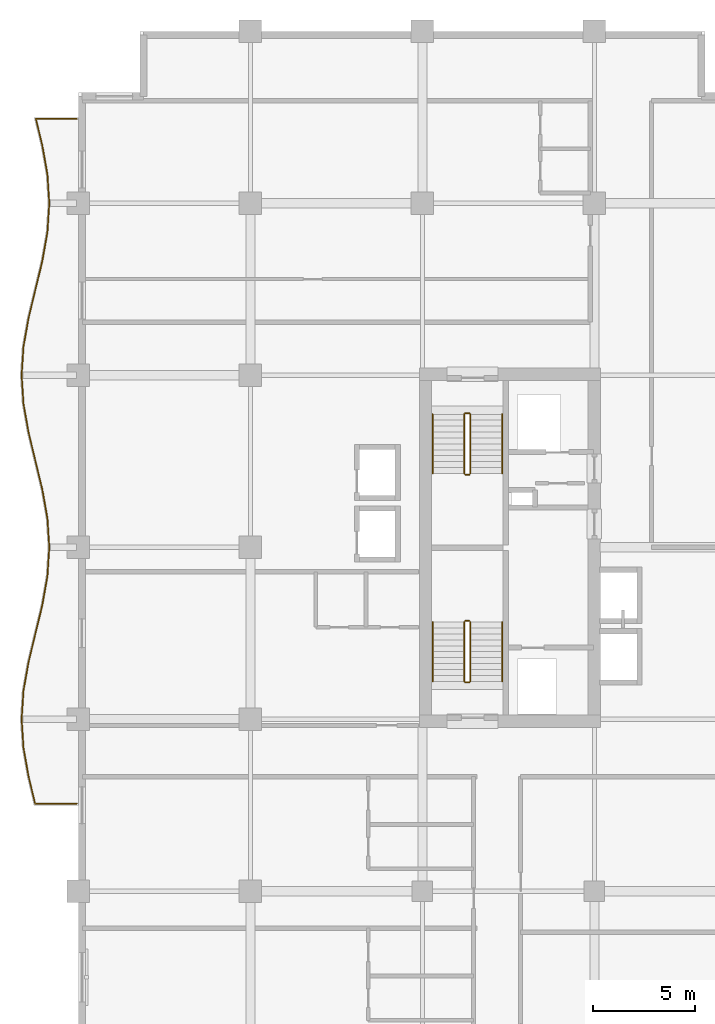
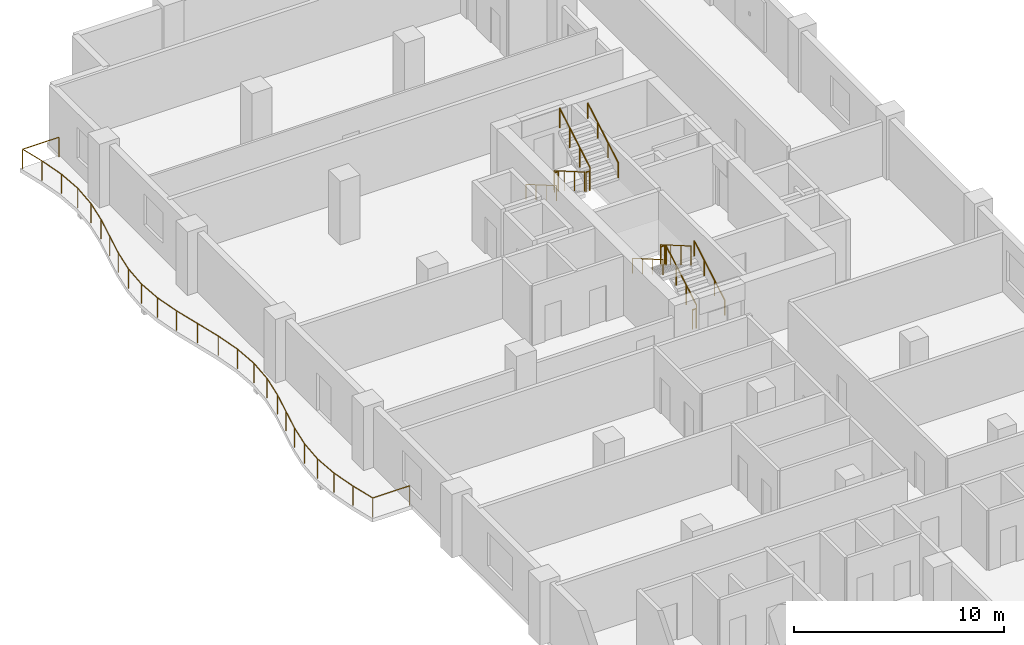
# One storey, part 20 of 21: 13 railings.
"""IFC4 building model written with IfcOpenShell, lengths in metres."""

from ifc_helpers import new_model, si_unit, direction, frame, origin, origin_2d, place, context, subcontext, project, spatial, circle, extrude, material, type_object, element, save


model = new_model("IFC4")

# Units and contexts
model_context = context("Model", 3, precision=1e-05, world=origin(), true_north=direction((0.0, 1.0)))
body_context = subcontext(model_context, "Body", "Model", "MODEL_VIEW")
ifc_project = project(units=[si_unit("LENGTHUNIT", "METRE"), si_unit("AREAUNIT", "SQUARE_METRE"), si_unit("VOLUMEUNIT", "CUBIC_METRE"), si_unit("PLANEANGLEUNIT", "RADIAN"), si_unit("MASSUNIT", "GRAM", prefix="KILO")], contexts=[model_context])

# Site, building, storey
site_placement = place(None, origin())
site = spatial("IfcSite", under=ifc_project, at=site_placement, CompositionType="ELEMENT")
building_placement = place(site_placement, origin())
building = spatial("IfcBuilding", under=site, at=building_placement, Name="Koriwani Terraces Tower", CompositionType="ELEMENT")
storey_placement = place(building_placement, frame((0.0, 0.0, 197.60009765625)))
storey = spatial("IfcBuildingStorey", under=building, at=storey_placement, Name="L48", CompositionType="ELEMENT", Elevation=197.60009765625)

# Railings
ifc_material = material(Name="Steel ASTM A572 Grade 50", Category="steel")
railing_type_1 = type_object("IfcRailingType", Name="GUARD_BALUSTRADE_1150", PredefinedType="BALUSTRADE", material=ifc_material)
railing_1_placement = place(storey_placement, frame((-0.080078125, 37.8798828125, 0.0)))
element("IfcRailing", 1, at=railing_1_placement, inside=storey, type_object=railing_type_1, Name="L48 Balcony Perimeter Safety Balustrade (W)", PredefinedType="BALUSTRADE", context=body_context, shape_type="SweptSolid", body=[
    extrude(circle(Radius=0.02392578125, at=origin_2d()), frame((0.0, 0.0, 1.1259765625), z_axis=(-1.0, 0.0, 0.0), x_axis=(0.0, -1.0, 0.0)), (0.0, 0.0, 1.0), 2.031982421875),
    extrude(circle(Radius=0.02392578125, at=origin_2d()), frame((-2.031982421875, 0.0, 1.1259765625), z_axis=(-0.234252790362, 0.97217571982, 0.0), x_axis=(-0.97217571982, -0.234252790362, 0.0)), (0.0, 0.0, 1.0), 1.374755859375),
    extrude(circle(Radius=0.02392578125, at=origin_2d()), frame((-2.35400390625, 1.33642578125, 1.1259765625), z_axis=(-0.173932985997, 0.984757491153, 0.0), x_axis=(-0.984757491153, -0.173932985997, 0.0)), (0.0, 0.0, 1.0), 1.414794921875),
    extrude(circle(Radius=0.02392578125, at=origin_2d()), frame((-2.60009765625, 2.729736328125, 1.1259765625), z_axis=(-0.064309099225, 0.997930027485, 0.0), x_axis=(-0.997930027485, -0.064309099225, 0.0)), (0.0, 0.0, 1.0), 1.393310546875),
    extrude(circle(Radius=0.02392578125, at=origin_2d()), frame((-2.689697265625, 4.1201171875, 1.1259765625), z_axis=(0.064309099225, 0.997930027485, 0.0), x_axis=(-0.997930027485, 0.064309099225, 0.0)), (0.0, 0.0, 1.0), 1.393310546875),
    extrude(circle(Radius=0.02392578125, at=origin_2d()), frame((-2.60009765625, 5.510498046875, 1.1259765625), z_axis=(0.173932985997, 0.984757491153, 0.0), x_axis=(-0.984757491153, 0.173932985997, 0.0)), (0.0, 0.0, 1.0), 1.414794921875),
    extrude(circle(Radius=0.02392578125, at=origin_2d()), frame((-2.35400390625, 6.90380859375, 1.1259765625), z_axis=(0.234289744186, 0.972166814785, 0.0), x_axis=(-0.972166814785, 0.234289744186, 0.0)), (0.0, 0.0, 1.0), 2.880126953125),
    extrude(circle(Radius=0.02392578125, at=origin_2d()), frame((-1.67919921875, 9.703857421875, 1.1259765625), z_axis=(0.173814583381, 0.984778396698, 0.0), x_axis=(-0.984778396698, 0.173814583381, 0.0)), (0.0, 0.0, 1.0), 1.428466796875),
    extrude(circle(Radius=0.02392578125, at=origin_2d()), frame((-1.430908203125, 11.110595703125, 1.1259765625), z_axis=(0.064304534842, 0.997930321615, 0.0), x_axis=(-0.997930321615, 0.064304534842, 0.0)), (0.0, 0.0, 1.0), 1.412353515625),
    extrude(circle(Radius=0.02392578125, at=origin_2d()), frame((-1.340087890625, 12.52001953125, 1.1259765625), z_axis=(-0.064293443969, 0.997931036226, 0.0), x_axis=(-0.997931036226, -0.064293443969, 0.0)), (0.0, 0.0, 1.0), 1.41259765625),
    extrude(circle(Radius=0.02392578125, at=origin_2d()), frame((-1.430908203125, 13.9296875, 1.1259765625), z_axis=(-0.173814583381, 0.984778396698, 0.0), x_axis=(-0.984778396698, -0.173814583381, 0.0)), (0.0, 0.0, 1.0), 1.428466796875),
    extrude(circle(Radius=0.02392578125, at=origin_2d()), frame((-1.67919921875, 15.33642578125, 1.1259765625), z_axis=(-0.234289744186, 0.972166814785, 0.0), x_axis=(-0.972166814785, -0.234289744186, 0.0)), (0.0, 0.0, 1.0), 2.880126953125),
    extrude(circle(Radius=0.02392578125, at=origin_2d()), frame((-2.35400390625, 18.136474609375, 1.1259765625), z_axis=(-0.173932985997, 0.984757491153, 0.0), x_axis=(-0.984757491153, -0.173932985997, 0.0)), (0.0, 0.0, 1.0), 1.414794921875),
    extrude(circle(Radius=0.02392578125, at=origin_2d()), frame((-2.60009765625, 19.52978515625, 1.1259765625), z_axis=(-0.064309099225, 0.997930027485, 0.0), x_axis=(-0.997930027485, -0.064309099225, 0.0)), (0.0, 0.0, 1.0), 1.393310546875),
    extrude(circle(Radius=0.02392578125, at=origin_2d()), frame((-2.689697265625, 20.920166015625, 1.1259765625), z_axis=(0.064309099225, 0.997930027485, 0.0), x_axis=(-0.997930027485, 0.064309099225, 0.0)), (0.0, 0.0, 1.0), 1.393310546875),
    extrude(circle(Radius=0.02392578125, at=origin_2d()), frame((-2.60009765625, 22.310546875, 1.1259765625), z_axis=(0.173932985997, 0.984757491153, 0.0), x_axis=(-0.984757491153, 0.173932985997, 0.0)), (0.0, 0.0, 1.0), 1.414794921875),
    extrude(circle(Radius=0.02392578125, at=origin_2d()), frame((-2.35400390625, 23.703857421875, 1.1259765625), z_axis=(0.234289744186, 0.972166814785, 0.0), x_axis=(-0.972166814785, 0.234289744186, 0.0)), (0.0, 0.0, 1.0), 2.880126953125),
    extrude(circle(Radius=0.02392578125, at=origin_2d()), frame((-1.67919921875, 26.50390625, 1.1259765625), z_axis=(0.173814583381, 0.984778396698, 0.0), x_axis=(-0.984778396698, 0.173814583381, 0.0)), (0.0, 0.0, 1.0), 1.428466796875),
    extrude(circle(Radius=0.02392578125, at=origin_2d()), frame((-1.430908203125, 27.91064453125, 1.1259765625), z_axis=(0.064304534842, 0.997930321615, 0.0), x_axis=(-0.997930321615, 0.064304534842, 0.0)), (0.0, 0.0, 1.0), 1.412353515625),
    extrude(circle(Radius=0.02392578125, at=origin_2d()), frame((-1.340087890625, 29.320068359375, 1.1259765625), z_axis=(-0.064293443969, 0.997931036226, 0.0), x_axis=(-0.997931036226, -0.064293443969, 0.0)), (0.0, 0.0, 1.0), 1.41259765625),
    extrude(circle(Radius=0.02392578125, at=origin_2d()), frame((-1.430908203125, 30.729736328125, 1.1259765625), z_axis=(-0.173814583381, 0.984778396698, 0.0), x_axis=(-0.984778396698, -0.173814583381, 0.0)), (0.0, 0.0, 1.0), 1.428466796875),
    extrude(circle(Radius=0.02392578125, at=origin_2d()), frame((-1.67919921875, 32.136474609375, 1.1259765625), z_axis=(-0.234302390999, 0.972163766848, 0.0), x_axis=(-0.972163766848, -0.234302390999, 0.0)), (0.0, 0.0, 1.0), 1.341064453125),
    extrude(circle(Radius=0.02392578125, at=origin_2d()), frame((-1.993408203125, 33.440185546875, 1.1259765625), z_axis=(1.0, 0.0, 0.0), x_axis=(0.0, 1.0, 0.0)), (0.0, 0.0, 1.0), 1.993408203125),
    extrude(circle(Radius=0.02099609375, at=origin_2d()), origin(), (0.0, 0.0, 1.0), 1.101806640625),
    extrude(circle(Radius=0.02099609375, at=origin_2d()), frame((-2.031982421875, 0.0, 0.0)), (0.0, 0.0, 1.0), 1.101806640625),
    extrude(circle(Radius=0.02099609375, at=origin_2d()), frame((-2.35400390625, 1.33642578125, 0.0)), (0.0, 0.0, 1.0), 1.101806640625),
    extrude(circle(Radius=0.02099609375, at=origin_2d()), frame((-2.60009765625, 2.729736328125, 0.0)), (0.0, 0.0, 1.0), 1.101806640625),
    extrude(circle(Radius=0.02099609375, at=origin_2d()), frame((-2.689697265625, 4.1201171875, 0.0)), (0.0, 0.0, 1.0), 1.101806640625),
    extrude(circle(Radius=0.02099609375, at=origin_2d()), frame((-2.60009765625, 5.510498046875, 0.0)), (0.0, 0.0, 1.0), 1.101806640625),
    extrude(circle(Radius=0.02099609375, at=origin_2d()), frame((-2.35400390625, 6.90380859375, 0.0)), (0.0, 0.0, 1.0), 1.101806640625),
    extrude(circle(Radius=0.02099609375, at=origin_2d()), frame((-2.0166015625, 8.3037109375, 0.0)), (0.0, 0.0, 1.0), 1.101806640625),
    extrude(circle(Radius=0.02099609375, at=origin_2d()), frame((-1.67919921875, 9.703857421875, 0.0)), (0.0, 0.0, 1.0), 1.101806640625),
    extrude(circle(Radius=0.02099609375, at=origin_2d()), frame((-1.430908203125, 11.110595703125, 0.0)), (0.0, 0.0, 1.0), 1.101806640625),
    extrude(circle(Radius=0.02099609375, at=origin_2d()), frame((-1.340087890625, 12.52001953125, 0.0)), (0.0, 0.0, 1.0), 1.101806640625),
    extrude(circle(Radius=0.02099609375, at=origin_2d()), frame((-1.430908203125, 13.9296875, 0.0)), (0.0, 0.0, 1.0), 1.101806640625),
    extrude(circle(Radius=0.02099609375, at=origin_2d()), frame((-1.67919921875, 15.33642578125, 0.0)), (0.0, 0.0, 1.0), 1.101806640625),
    extrude(circle(Radius=0.02099609375, at=origin_2d()), frame((-2.0166015625, 16.736328125, 0.0)), (0.0, 0.0, 1.0), 1.101806640625),
    extrude(circle(Radius=0.02099609375, at=origin_2d()), frame((-2.35400390625, 18.136474609375, 0.0)), (0.0, 0.0, 1.0), 1.101806640625),
    extrude(circle(Radius=0.02099609375, at=origin_2d()), frame((-2.60009765625, 19.52978515625, 0.0)), (0.0, 0.0, 1.0), 1.101806640625),
    extrude(circle(Radius=0.02099609375, at=origin_2d()), frame((-2.689697265625, 20.920166015625, 0.0)), (0.0, 0.0, 1.0), 1.101806640625),
    extrude(circle(Radius=0.02099609375, at=origin_2d()), frame((-2.60009765625, 22.310546875, 0.0)), (0.0, 0.0, 1.0), 1.101806640625),
    extrude(circle(Radius=0.02099609375, at=origin_2d()), frame((-2.35400390625, 23.703857421875, 0.0)), (0.0, 0.0, 1.0), 1.101806640625),
    extrude(circle(Radius=0.02099609375, at=origin_2d()), frame((-2.0166015625, 25.10400390625, 0.0)), (0.0, 0.0, 1.0), 1.101806640625),
    extrude(circle(Radius=0.02099609375, at=origin_2d()), frame((-1.67919921875, 26.50390625, 0.0)), (0.0, 0.0, 1.0), 1.101806640625),
    extrude(circle(Radius=0.02099609375, at=origin_2d()), frame((-1.430908203125, 27.91064453125, 0.0)), (0.0, 0.0, 1.0), 1.101806640625),
    extrude(circle(Radius=0.02099609375, at=origin_2d()), frame((-1.340087890625, 29.320068359375, 0.0)), (0.0, 0.0, 1.0), 1.101806640625),
    extrude(circle(Radius=0.02099609375, at=origin_2d()), frame((-1.430908203125, 30.729736328125, 0.0)), (0.0, 0.0, 1.0), 1.101806640625),
    extrude(circle(Radius=0.02099609375, at=origin_2d()), frame((-1.67919921875, 32.136474609375, 0.0)), (0.0, 0.0, 1.0), 1.101806640625),
    extrude(circle(Radius=0.02099609375, at=origin_2d()), frame((-1.993408203125, 33.440185546875, 0.0)), (0.0, 0.0, 1.0), 1.101806640625),
    extrude(circle(Radius=0.02099609375, at=origin_2d()), frame((0.0, 33.440185546875, 0.0)), (0.0, 0.0, 1.0), 1.101806640625),
])
railing_type_2 = type_object("IfcRailingType", Name="GUARD_STAIR_WELL_1120", PredefinedType="GUARDRAIL", material=ifc_material)
railing_2_placement = place(storey_placement, frame((19.14990234375, 43.85009765625, 0.16796875)))
element("IfcRailing", 2, at=railing_2_placement, inside=storey, type_object=railing_type_2, Name="L48 ST-W1 stair guard 1", PredefinedType="GUARDRAIL", context=body_context, shape_type="SweptSolid", body=[
    extrude(circle(Radius=0.02392578125, at=origin_2d()), frame((0.0, 0.0, 1.1259765625), z_axis=(0.0, 0.865038774852, 0.501705010941), x_axis=(-1.0, 0.0, 0.0)), (0.0, 0.0, 1.0), 3.352294921875),
    extrude(circle(Radius=0.02099609375, at=origin_2d()), origin(), (0.0, 0.0, 1.0), 1.101806640625),
    extrude(circle(Radius=0.02099609375, at=origin_2d()), frame((0.0, 0.966552734375, 0.560546875)), (0.0, 0.0, 1.0), 1.101806640625),
    extrude(circle(Radius=0.02099609375, at=origin_2d()), frame((0.0, 1.933349609375, 1.121337890625)), (0.0, 0.0, 1.0), 1.101806640625),
    extrude(circle(Radius=0.02099609375, at=origin_2d()), frame((0.0, 2.89990234375, 1.681884765625)), (0.0, 0.0, 1.0), 1.101806640625),
])
railing_3_placement = place(storey_placement, frame((19.10009765625, 46.800048828125, 1.849853515625)))
element("IfcRailing", 3, at=railing_3_placement, inside=storey, type_object=railing_type_2, Name="L48 ST-W1 stair guard 2", PredefinedType="GUARDRAIL", context=body_context, shape_type="SweptSolid", body=[
    extrude(circle(Radius=0.02392578125, at=origin_2d()), frame((0.0, 0.0, 1.1259765625), z_axis=(-1.0, 0.0, 0.0), x_axis=(0.0, -1.0, 0.0)), (0.0, 0.0, 1.0), 0.2001953125),
    extrude(circle(Radius=0.02099609375, at=origin_2d()), origin(), (0.0, 0.0, 1.0), 1.101806640625),
    extrude(circle(Radius=0.02099609375, at=origin_2d()), frame((-0.2001953125, 0.0, 0.0)), (0.0, 0.0, 1.0), 1.101806640625),
])
railing_4_placement = place(storey_placement, frame((18.85009765625, 46.75, 2.01806640625)))
element("IfcRailing", 4, at=railing_4_placement, inside=storey, type_object=railing_type_2, Name="L48 ST-W1 stair guard 3", PredefinedType="GUARDRAIL", context=body_context, shape_type="SweptSolid", body=[
    extrude(circle(Radius=0.02392578125, at=origin_2d()), frame((0.0, 0.0, 1.1259765625), z_axis=(0.0, -0.865038774852, 0.501705010941), x_axis=(1.0, 0.0, 0.0)), (0.0, 0.0, 1.0), 3.352294921875),
    extrude(circle(Radius=0.02099609375, at=origin_2d()), origin(), (0.0, 0.0, 1.0), 1.101806640625),
    extrude(circle(Radius=0.02099609375, at=origin_2d()), frame((0.0, -0.966552734375, 0.560546875)), (0.0, 0.0, 1.0), 1.101806640625),
    extrude(circle(Radius=0.02099609375, at=origin_2d()), frame((0.0, -1.933349609375, 1.121337890625)), (0.0, 0.0, 1.0), 1.101806640625),
    extrude(circle(Radius=0.02099609375, at=origin_2d()), frame((0.0, -2.89990234375, 1.681884765625)), (0.0, 0.0, 1.0), 1.101806640625),
])
railing_5_placement = place(storey_placement, frame((19.10009765625, 43.800048828125, 0.0)))
element("IfcRailing", 5, at=railing_5_placement, inside=storey, type_object=railing_type_2, Name="L48 ST-W1 stair guard 4", PredefinedType="GUARDRAIL", context=body_context, shape_type="SweptSolid", body=[
    extrude(circle(Radius=0.02392578125, at=origin_2d()), frame((0.0, 0.0, 1.1259765625), z_axis=(-1.0, 0.0, 0.0), x_axis=(0.0, -1.0, 0.0)), (0.0, 0.0, 1.0), 0.2001953125),
    extrude(circle(Radius=0.02099609375, at=origin_2d()), origin(), (0.0, 0.0, 1.0), 1.101806640625),
    extrude(circle(Radius=0.02099609375, at=origin_2d()), frame((-0.2001953125, 0.0, 0.0)), (0.0, 0.0, 1.0), 1.101806640625),
])
railing_6_placement = place(storey_placement, frame((18.85009765625, 56.89990234375, 0.16796875)))
element("IfcRailing", 6, at=railing_6_placement, inside=storey, type_object=railing_type_2, Name="L48 ST-W2 stair guard 1", PredefinedType="GUARDRAIL", context=body_context, shape_type="SweptSolid", body=[
    extrude(circle(Radius=0.02392578125, at=origin_2d()), frame((0.0, 0.0, 1.1259765625), z_axis=(0.0, -0.865038774852, 0.501705010941), x_axis=(1.0, 0.0, 0.0)), (0.0, 0.0, 1.0), 3.352294921875),
    extrude(circle(Radius=0.02099609375, at=origin_2d()), origin(), (0.0, 0.0, 1.0), 1.101806640625),
    extrude(circle(Radius=0.02099609375, at=origin_2d()), frame((0.0, -0.966552734375, 0.560546875)), (0.0, 0.0, 1.0), 1.101806640625),
    extrude(circle(Radius=0.02099609375, at=origin_2d()), frame((0.0, -1.933349609375, 1.121337890625)), (0.0, 0.0, 1.0), 1.101806640625),
    extrude(circle(Radius=0.02099609375, at=origin_2d()), frame((0.0, -2.89990234375, 1.681884765625)), (0.0, 0.0, 1.0), 1.101806640625),
])
railing_7_placement = place(storey_placement, frame((18.89990234375, 53.949951171875, 1.849853515625)))
element("IfcRailing", 7, at=railing_7_placement, inside=storey, type_object=railing_type_2, Name="L48 ST-W2 stair guard 2", PredefinedType="GUARDRAIL", context=body_context, shape_type="SweptSolid", body=[
    extrude(circle(Radius=0.02392578125, at=origin_2d()), frame((0.0, 0.0, 1.1259765625), z_axis=(1.0, 0.0, 0.0), x_axis=(0.0, 1.0, 0.0)), (0.0, 0.0, 1.0), 0.2001953125),
    extrude(circle(Radius=0.02099609375, at=origin_2d()), origin(), (0.0, 0.0, 1.0), 1.101806640625),
    extrude(circle(Radius=0.02099609375, at=origin_2d()), frame((0.2001953125, 0.0, 0.0)), (0.0, 0.0, 1.0), 1.101806640625),
])
railing_8_placement = place(storey_placement, frame((19.14990234375, 54.0, 2.01806640625)))
element("IfcRailing", 8, at=railing_8_placement, inside=storey, type_object=railing_type_2, Name="L48 ST-W2 stair guard 3", PredefinedType="GUARDRAIL", context=body_context, shape_type="SweptSolid", body=[
    extrude(circle(Radius=0.02392578125, at=origin_2d()), frame((0.0, 0.0, 1.1259765625), z_axis=(0.0, 0.865038774852, 0.501705010941), x_axis=(-1.0, 0.0, 0.0)), (0.0, 0.0, 1.0), 3.352294921875),
    extrude(circle(Radius=0.02099609375, at=origin_2d()), origin(), (0.0, 0.0, 1.0), 1.101806640625),
    extrude(circle(Radius=0.02099609375, at=origin_2d()), frame((0.0, 0.966552734375, 0.560546875)), (0.0, 0.0, 1.0), 1.101806640625),
    extrude(circle(Radius=0.02099609375, at=origin_2d()), frame((0.0, 1.933349609375, 1.121337890625)), (0.0, 0.0, 1.0), 1.101806640625),
    extrude(circle(Radius=0.02099609375, at=origin_2d()), frame((0.0, 2.89990234375, 1.681884765625)), (0.0, 0.0, 1.0), 1.101806640625),
])
railing_9_placement = place(storey_placement, frame((18.89990234375, 56.949951171875, 0.0)))
element("IfcRailing", 9, at=railing_9_placement, inside=storey, type_object=railing_type_2, Name="L48 ST-W2 stair guard 4", PredefinedType="GUARDRAIL", context=body_context, shape_type="SweptSolid", body=[
    extrude(circle(Radius=0.02392578125, at=origin_2d()), frame((0.0, 0.0, 1.1259765625), z_axis=(1.0, 0.0, 0.0), x_axis=(0.0, 1.0, 0.0)), (0.0, 0.0, 1.0), 0.2001953125),
    extrude(circle(Radius=0.02099609375, at=origin_2d()), origin(), (0.0, 0.0, 1.0), 1.101806640625),
    extrude(circle(Radius=0.02099609375, at=origin_2d()), frame((0.2001953125, 0.0, 0.0)), (0.0, 0.0, 1.0), 1.101806640625),
])
railing_type_3 = type_object("IfcRailingType", Name="HANDRAIL_STAIR_920", PredefinedType="HANDRAIL", material=ifc_material)
railing_10_placement = place(storey_placement, frame((20.699951171875, 43.85009765625, 0.16796875)))
element("IfcRailing", 10, at=railing_10_placement, inside=storey, type_object=railing_type_3, Name="L48 ST-W1 stair handrail 1", PredefinedType="HANDRAIL", context=body_context, shape_type="SweptSolid", body=[
    extrude(circle(Radius=0.02392578125, at=origin_2d()), frame((0.0, 0.0, 0.8759765625), z_axis=(0.0, 0.865038774852, 0.501705010941), x_axis=(-1.0, 0.0, 0.0)), (0.0, 0.0, 1.0), 3.352294921875),
    extrude(circle(Radius=0.02099609375, at=origin_2d()), origin(), (0.0, 0.0, 1.0), 0.851806640625),
    extrude(circle(Radius=0.02099609375, at=origin_2d()), frame((0.0, 0.966552734375, 0.560546875)), (0.0, 0.0, 1.0), 0.851806640625),
    extrude(circle(Radius=0.02099609375, at=origin_2d()), frame((0.0, 1.933349609375, 1.121337890625)), (0.0, 0.0, 1.0), 0.851806640625),
    extrude(circle(Radius=0.02099609375, at=origin_2d()), frame((0.0, 2.89990234375, 1.681884765625)), (0.0, 0.0, 1.0), 0.851806640625),
])
for number, where, name in (
    (11, (17.300048828125, 46.75, 2.01806640625), "L48 ST-W1 stair handrail 2"),
    (12, (17.300048828125, 56.89990234375, 0.16796875), "L48 ST-W2 stair handrail 1"),
):
    element("IfcRailing", number, at=place(storey_placement, frame(where)), inside=storey, type_object=railing_type_3, Name=name, PredefinedType="HANDRAIL", context=body_context, shape_type="SweptSolid", body=[
        extrude(circle(Radius=0.02392578125, at=origin_2d()), frame((0.0, 0.0, 0.8759765625), z_axis=(0.0, -0.865038774852, 0.501705010941), x_axis=(1.0, 0.0, 0.0)), (0.0, 0.0, 1.0), 3.352294921875),
        extrude(circle(Radius=0.02099609375, at=origin_2d()), origin(), (0.0, 0.0, 1.0), 0.851806640625),
        extrude(circle(Radius=0.02099609375, at=origin_2d()), frame((0.0, -0.966552734375, 0.560546875)), (0.0, 0.0, 1.0), 0.851806640625),
        extrude(circle(Radius=0.02099609375, at=origin_2d()), frame((0.0, -1.933349609375, 1.121337890625)), (0.0, 0.0, 1.0), 0.851806640625),
        extrude(circle(Radius=0.02099609375, at=origin_2d()), frame((0.0, -2.89990234375, 1.681884765625)), (0.0, 0.0, 1.0), 0.851806640625),
    ])
railing_11_placement = place(storey_placement, frame((20.699951171875, 54.0, 2.01806640625)))
element("IfcRailing", 13, at=railing_11_placement, inside=storey, type_object=railing_type_3, Name="L48 ST-W2 stair handrail 2", PredefinedType="HANDRAIL", context=body_context, shape_type="SweptSolid", body=[
    extrude(circle(Radius=0.02392578125, at=origin_2d()), frame((0.0, 0.0, 0.8759765625), z_axis=(0.0, 0.865038774852, 0.501705010941), x_axis=(-1.0, 0.0, 0.0)), (0.0, 0.0, 1.0), 3.352294921875),
    extrude(circle(Radius=0.02099609375, at=origin_2d()), origin(), (0.0, 0.0, 1.0), 0.851806640625),
    extrude(circle(Radius=0.02099609375, at=origin_2d()), frame((0.0, 0.966552734375, 0.560546875)), (0.0, 0.0, 1.0), 0.851806640625),
    extrude(circle(Radius=0.02099609375, at=origin_2d()), frame((0.0, 1.933349609375, 1.121337890625)), (0.0, 0.0, 1.0), 0.851806640625),
    extrude(circle(Radius=0.02099609375, at=origin_2d()), frame((0.0, 2.89990234375, 1.681884765625)), (0.0, 0.0, 1.0), 0.851806640625),
])

save(model, "model.ifc")
